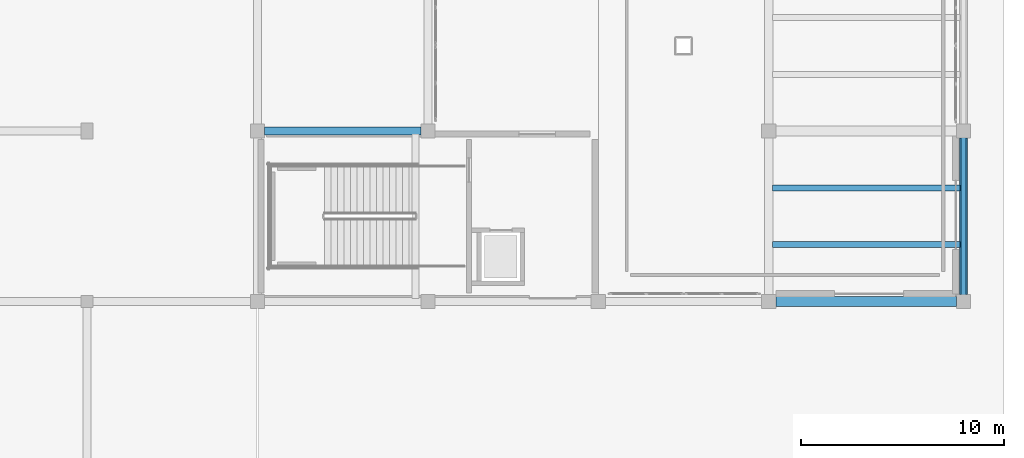
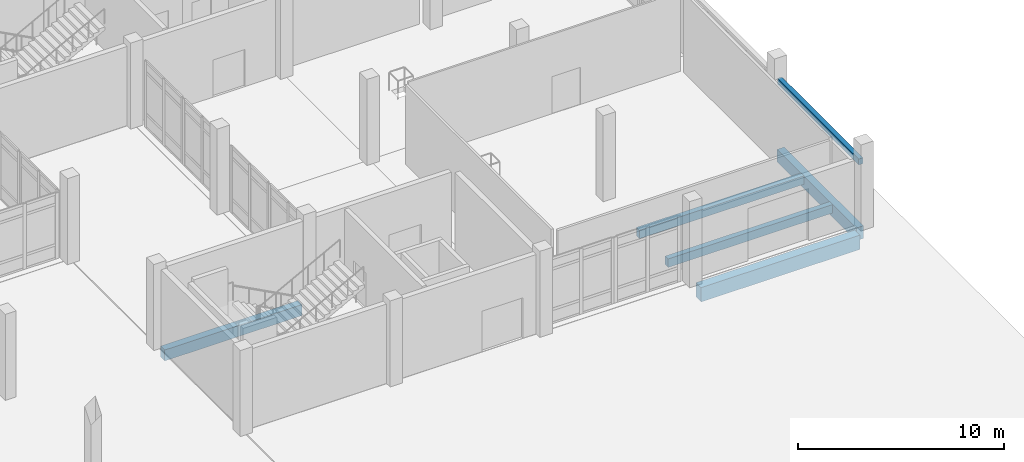
# One storey, part 15 of 64: 6 beams.
"""IFC4 building model written with IfcOpenShell, lengths in metres."""

from ifc_helpers import new_model, si_unit, derived_unit, direction, frame, origin, origin_2d, place, context, subcontext, project, spatial, rectangle, extrude, material, material_profile, profile_set, type_object, element, save


model = new_model("IFC4")

# Units and contexts
model_context = context("Model", 3, precision=1e-05, world=origin(), true_north=direction((0.0, 1.0)))
body_context = subcontext(model_context, "Body", "Model", "MODEL_VIEW")
ifc_project = project(units=[si_unit("LENGTHUNIT", "METRE"), si_unit("AREAUNIT", "SQUARE_METRE"), si_unit("VOLUMEUNIT", "CUBIC_METRE"), si_unit("PLANEANGLEUNIT", "RADIAN"), si_unit("MASSUNIT", "GRAM", prefix="KILO"), derived_unit("THERMALTRANSMITTANCEUNIT", [(si_unit("POWERUNIT", "WATT"), 1), (si_unit("LENGTHUNIT", "METRE"), -2), (si_unit("THERMODYNAMICTEMPERATUREUNIT", "KELVIN"), -1)])], contexts=[model_context])

# Site, building, storey
site_placement = place(None, origin())
site = spatial("IfcSite", under=ifc_project, at=site_placement, CompositionType="ELEMENT")
building_placement = place(site_placement, origin())
building = spatial("IfcBuilding", under=site, at=building_placement, Name="Elbkamm Science Centre", CompositionType="ELEMENT")
storey_placement = place(building_placement, origin())
storey = spatial("IfcBuildingStorey", under=building, at=storey_placement, Name="L00", CompositionType="ELEMENT", Elevation=0.0)

# Beams
ifc_material = material(Name="Concrete C40/50", Category="concrete")
ifc_material_profile_1 = material_profile(ifc_material, rectangle(XDim=0.39990234375, YDim=0.64990234375, at=origin_2d()), Name="RC 400x650")
ifc_profile_set_1 = profile_set([ifc_material_profile_1], Name="Concrete C40/50")
beam_type_1 = type_object("IfcBeamType", Name="BM-RC-400x650", PredefinedType="BEAM", material=ifc_profile_set_1)
beam_1_placement = place(storey_placement, frame((126.35009765625, 33.60009765625, -0.625), z_axis=(1.0, 0.0, 0.0), x_axis=(0.0, 1.0, 0.0)))
element("IfcBeam", 1, at=beam_1_placement, inside=storey, type_object=beam_type_1, Name="L00 Primary X-Girder 033", PredefinedType="BEAM", context=body_context, shape_type="SweptSolid", body=[
    extrude(rectangle(XDim=0.39990234375, YDim=0.64990234375, at=origin_2d()), origin(), (0.0, 0.0, 1.0), 7.699951171875),
])
ifc_material_profile_2 = material_profile(ifc_material, rectangle(XDim=0.39990234375, YDim=0.75, at=origin_2d()), Name="RC 400x750")
ifc_profile_set_2 = profile_set([ifc_material_profile_2], Name="Concrete C40/50")
beam_type_2 = type_object("IfcBeamType", Name="BM-RC-400x750", PredefinedType="BEAM", material=ifc_profile_set_2)
beam_2_placement = place(storey_placement, frame((160.800048828125, 25.550048828125, -0.675048828125), z_axis=(0.0, 1.0, 0.0), x_axis=(-1.0, 0.0, 0.0)))
element("IfcBeam", 2, at=beam_2_placement, inside=storey, type_object=beam_type_2, Name="L00 Primary Y-Girder 078", PredefinedType="BEAM", context=body_context, shape_type="SweptSolid", body=[
    extrude(rectangle(XDim=0.39990234375, YDim=0.75, at=origin_2d()), origin(), (0.0, 0.0, 1.0), 7.699951171875),
])
ifc_material_profile_3 = material_profile(ifc_material, rectangle(XDim=0.5, YDim=0.85009765625, at=origin_2d()), Name="RC 500x850")
ifc_profile_set_3 = profile_set([ifc_material_profile_3], Name="Concrete C40/50")
beam_type_3 = type_object("IfcBeamType", Name="BM-RC-500x850", PredefinedType="BEAM", material=ifc_profile_set_3)
beam_3_placement = place(storey_placement, frame((151.550048828125, 25.199951171875, -0.72509765625), z_axis=(1.0, 0.0, 0.0), x_axis=(0.0, 1.0, 0.0)))
element("IfcBeam", 3, at=beam_3_placement, inside=storey, type_object=beam_type_3, Name="L00 Primary X-Girder 028", PredefinedType="BEAM", context=body_context, shape_type="SweptSolid", body=[
    extrude(rectangle(XDim=0.5, YDim=0.85009765625, at=origin_2d()), origin(), (0.0, 0.0, 1.0), 8.89990234375),
])
ifc_material_profile_4 = material_profile(ifc_material, rectangle(XDim=0.300048828125, YDim=0.5, at=origin_2d()), Name="RC 300x500")
ifc_profile_set_4 = profile_set([ifc_material_profile_4], Name="Concrete C40/50")
beam_type_4 = type_object("IfcBeamType", Name="JST-RC-300x500", PredefinedType="JOIST", material=ifc_profile_set_4)
for number, where, z_axis, x_axis, name in (
    (4, (151.3798828125, 28.0, -0.550048828125), (1.0, 0.0, 0.0), (0.0, 1.0, 0.0), "L00 Secondary Floor Joist 061"),
    (5, (151.3798828125, 30.800048828125, -0.550048828125), (1.0, 0.0, 0.0), (0.0, 1.0, 0.0), "L00 Secondary Floor Joist 062"),
):
    element("IfcBeam", number, at=place(storey_placement, frame(where, z_axis=z_axis, x_axis=x_axis)), inside=storey, type_object=beam_type_4, Name=name, PredefinedType="JOIST", context=body_context, shape_type="SweptSolid", body=[
        extrude(rectangle(XDim=0.300048828125, YDim=0.5, at=origin_2d()), origin(), (0.0, 0.0, 1.0), 9.240234375),
    ])
ifc_material_profile_5 = material_profile(ifc_material, rectangle(XDim=0.25, YDim=0.35009765625, at=origin_2d()), Name="RC 250x350")
ifc_profile_set_5 = profile_set([ifc_material_profile_5], Name="Concrete C40/50")
beam_type_5 = type_object("IfcBeamType", Name="LIN-RC-250x350", PredefinedType="LINTEL", material=ifc_profile_set_5)
beam_4_placement = place(storey_placement, frame((160.800048828125, 25.449951171875, 3.64990234375), z_axis=(0.0, 1.0, 0.0), x_axis=(-1.0, 0.0, 0.0)))
element("IfcBeam", 6, at=beam_4_placement, inside=storey, type_object=beam_type_5, Name="L00 Opening Lintel 01", PredefinedType="LINTEL", context=body_context, shape_type="SweptSolid", body=[
    extrude(rectangle(XDim=0.25, YDim=0.35009765625, at=origin_2d()), origin(), (0.0, 0.0, 1.0), 7.900146484375),
])

save(model, "model.ifc")
